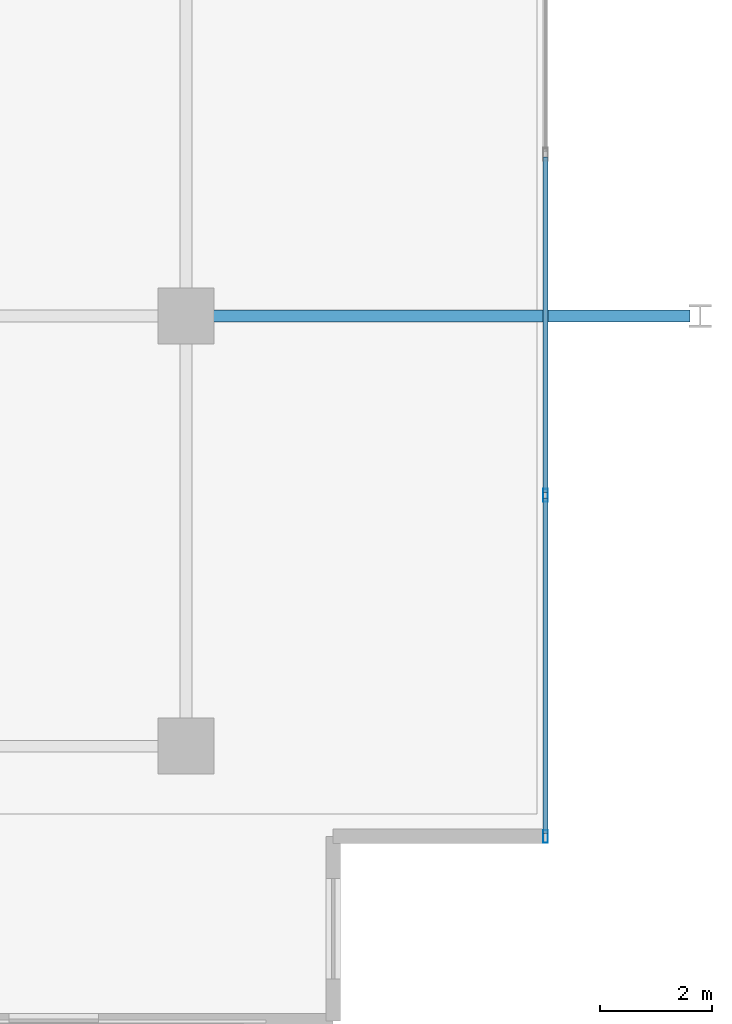
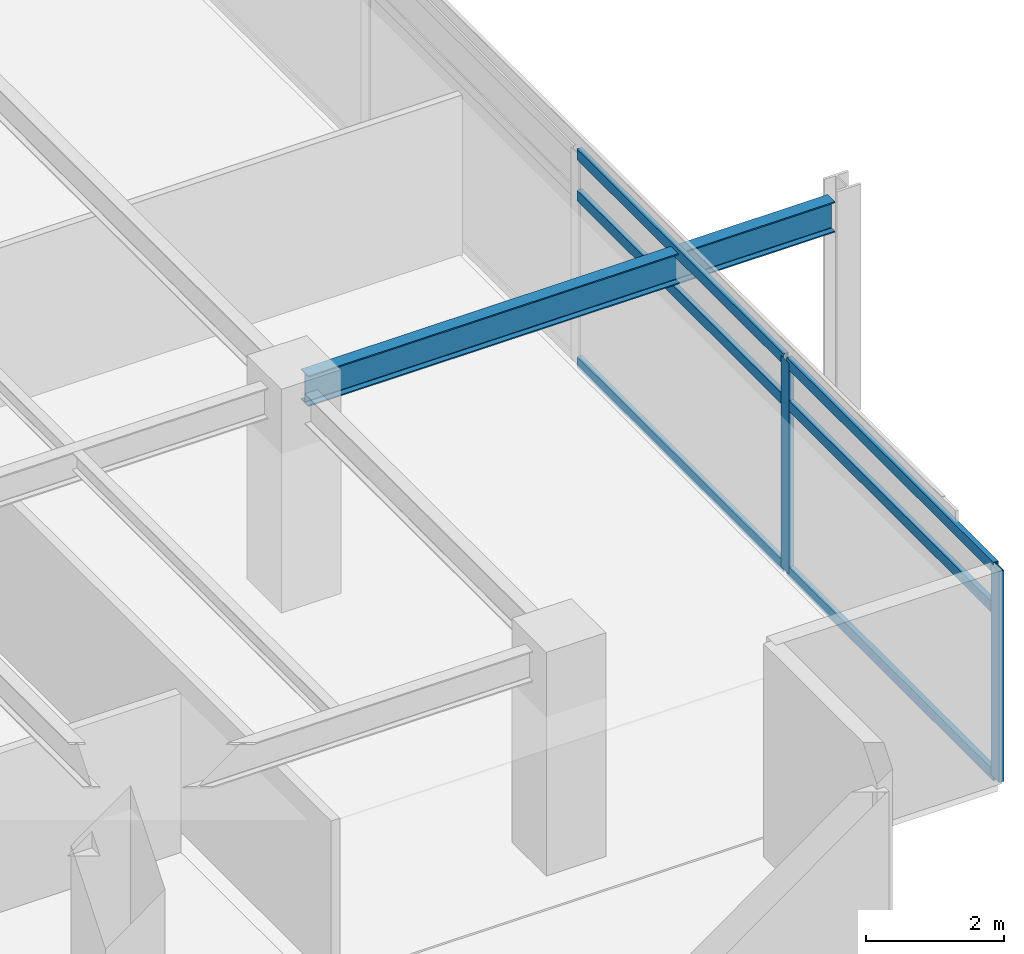
# One storey, part 6 of 21: 8 members, 1 beam, 1 element without a shape of its own.
"""IFC4 building model written with IfcOpenShell, lengths in metres."""

from ifc_helpers import new_model, si_unit, direction, frame, origin, origin_2d, place, context, subcontext, project, spatial, hollow_rectangle, i_section, extrude, material, material_profile, profile_set, type_object, element, aggregate, save


model = new_model("IFC4")

# Units and contexts
model_context = context("Model", 3, precision=1e-05, world=origin(), true_north=direction((0.0, 1.0)))
body_context = subcontext(model_context, "Body", "Model", "MODEL_VIEW")
ifc_project = project(units=[si_unit("LENGTHUNIT", "METRE"), si_unit("AREAUNIT", "SQUARE_METRE"), si_unit("VOLUMEUNIT", "CUBIC_METRE"), si_unit("PLANEANGLEUNIT", "RADIAN"), si_unit("MASSUNIT", "GRAM", prefix="KILO")], contexts=[model_context])

# Site, building, storey
site_placement = place(None, origin())
site = spatial("IfcSite", under=ifc_project, at=site_placement, CompositionType="ELEMENT")
building_placement = place(site_placement, origin())
building = spatial("IfcBuilding", under=site, at=building_placement, Name="Kovane Verandah Tower", CompositionType="ELEMENT")
storey_placement = place(building_placement, frame((0.0, 0.0, 326.800048828125)))
storey = spatial("IfcBuildingStorey", under=building, at=storey_placement, Name="L76", CompositionType="ELEMENT", Elevation=326.800048828125)

# Beam
ifc_material_1 = material(Name="Steel S355", Category="steel")
ifc_material_profile_1 = material_profile(ifc_material_1, i_section(OverallWidth=0.2119140625, OverallDepth=0.54443359375, WebThickness=0.0126953125, FlangeThickness=0.021240234375, FilletRadius=0.0126953125, at=origin_2d()), Name="UB533x210x122")
ifc_profile_set_1 = profile_set([ifc_material_profile_1], Name="Steel S355")
beam_type = type_object("IfcBeamType", Name="BM-UB533x122", PredefinedType="BEAM", material=ifc_profile_set_1)
beam_placement = place(storey_placement, frame((58.580078125, 18.5, 3.48779296875), z_axis=(1.0, 0.0, 0.0), x_axis=(0.0, 1.0, 0.0)))
element("IfcBeam", 1, at=beam_placement, inside=storey, type_object=beam_type, Name="L76 Primary Tower Girder G-VE1", PredefinedType="BEAM", context=body_context, shape_type="SweptSolid", body=[
    extrude(i_section(OverallWidth=0.2119140625, OverallDepth=0.54443359375, WebThickness=0.0126953125, FlangeThickness=0.021240234375, FilletRadius=0.0126953125, at=origin_2d()), origin(), (0.0, 0.0, 1.0), 8.83984375),
])

# Curtain wall, members
ifc_material_2 = material(Name="Champagne Anodised Aluminium Frame with Low-E Clear Laminated Glass", Category="aluminium")
curtain_wall_type = type_object("IfcCurtainWallType", Name="CW-SYS-05-HIGH", PredefinedType="NOTDEFINED", material=ifc_material_2)
curtain_wall_placement = place(storey_placement, origin())
curtain_wall = element("IfcCurtainWall", 2, at=curtain_wall_placement, inside=storey, type_object=curtain_wall_type, Name="L76 E Unitised Curtain Wall", PredefinedType="NOTDEFINED")
ifc_material_3 = material(Name="Champagne Anodised Aluminium 6063-T6", Category="aluminium")
ifc_material_profile_2 = material_profile(ifc_material_3, hollow_rectangle(XDim=0.0849609375, YDim=0.22998046875, WallThickness=0.00390625, at=origin_2d()), Name="AL85x230x4")
ifc_profile_set_2 = profile_set([ifc_material_profile_2], Name="Champagne Anodised Aluminium 6063-T6")
member_type_1 = type_object("IfcMemberType", Name="CW-MUL-85x230", PredefinedType="MULLION", material=ifc_profile_set_2)
member_1_placement = place(storey_placement, frame((64.83154296875, 9.184326171875, 0.02001953125), z_axis=(0.0, 0.0, 1.0), x_axis=(1.0, 0.0, 0.0)))
member_1 = element("IfcMember", 3, at=member_1_placement, type_object=member_type_1, Name="L76 E Unitised Curtain Wall Mullion 1", PredefinedType="MULLION", context=body_context, shape_type="SweptSolid", body=[
    extrude(hollow_rectangle(XDim=0.0849609375, YDim=0.22998046875, WallThickness=0.00390625, at=origin_2d()), origin(), (0.0, 0.0, 1.0), 3.744873046875),
])
member_2_placement = place(storey_placement, frame((64.83154296875, 15.28955078125, 0.02001953125), z_axis=(0.0, 0.0, 1.0), x_axis=(1.0, 0.0, 0.0)))
member_2 = element("IfcMember", 4, at=member_2_placement, type_object=member_type_1, Name="L76 E Unitised Curtain Wall Mullion 2", PredefinedType="MULLION", context=body_context, shape_type="SweptSolid", body=[
    extrude(hollow_rectangle(XDim=0.0849609375, YDim=0.22998046875, WallThickness=0.00390625, at=origin_2d()), origin(), (0.0, 0.0, 1.0), 3.744873046875),
])
ifc_material_profile_3 = material_profile(ifc_material_3, hollow_rectangle(XDim=0.0849609375, YDim=0.18994140625, WallThickness=0.00390625, at=origin_2d()), Name="AL85x190x4")
ifc_profile_set_3 = profile_set([ifc_material_profile_3], Name="Champagne Anodised Aluminium 6063-T6")
member_type_2 = type_object("IfcMemberType", Name="CW-TRN-85x190", PredefinedType="USERDEFINED", material=ifc_profile_set_3)
member_3_placement = place(storey_placement, frame((64.83154296875, 9.234375, 0.050048828125), z_axis=(0.0, 1.0, 0.0), x_axis=(-1.0, 0.0, 0.0)))
member_3 = element("IfcMember", 5, at=member_3_placement, type_object=member_type_2, Name="L76 E Unitised Curtain Wall Transom TB Bay 1", ObjectType="TRANSOM", PredefinedType="USERDEFINED", context=body_context, shape_type="SweptSolid", body=[
    extrude(hollow_rectangle(XDim=0.0849609375, YDim=0.18994140625, WallThickness=0.00390625, at=origin_2d()), origin(), (0.0, 0.0, 1.0), 6.005126953125),
])
member_4_placement = place(storey_placement, frame((64.83154296875, 9.234375, 3.0048828125), z_axis=(0.0, 1.0, 0.0), x_axis=(-1.0, 0.0, 0.0)))
member_4 = element("IfcMember", 6, at=member_4_placement, type_object=member_type_2, Name="L76 E Unitised Curtain Wall Transom TM Bay 1", ObjectType="TRANSOM", PredefinedType="USERDEFINED", context=body_context, shape_type="SweptSolid", body=[
    extrude(hollow_rectangle(XDim=0.0849609375, YDim=0.18994140625, WallThickness=0.00390625, at=origin_2d()), origin(), (0.0, 0.0, 1.0), 6.005126953125),
])
member_5_placement = place(storey_placement, frame((64.83154296875, 9.234375, 3.73486328125), z_axis=(0.0, 1.0, 0.0), x_axis=(-1.0, 0.0, 0.0)))
member_5 = element("IfcMember", 7, at=member_5_placement, type_object=member_type_2, Name="L76 E Unitised Curtain Wall Transom TT Bay 1", ObjectType="TRANSOM", PredefinedType="USERDEFINED", context=body_context, shape_type="SweptSolid", body=[
    extrude(hollow_rectangle(XDim=0.0849609375, YDim=0.18994140625, WallThickness=0.00390625, at=origin_2d()), origin(), (0.0, 0.0, 1.0), 6.005126953125),
])
member_6_placement = place(storey_placement, frame((64.83154296875, 15.339599609375, 0.050048828125), z_axis=(0.0, 1.0, 0.0), x_axis=(-1.0, 0.0, 0.0)))
member_6 = element("IfcMember", 8, at=member_6_placement, type_object=member_type_2, Name="L76 E Unitised Curtain Wall Transom TB Bay 2", ObjectType="TRANSOM", PredefinedType="USERDEFINED", context=body_context, shape_type="SweptSolid", body=[
    extrude(hollow_rectangle(XDim=0.0849609375, YDim=0.18994140625, WallThickness=0.00390625, at=origin_2d()), origin(), (0.0, 0.0, 1.0), 6.005126953125),
])
member_7_placement = place(storey_placement, frame((64.83154296875, 15.339599609375, 3.0048828125), z_axis=(0.0, 1.0, 0.0), x_axis=(-1.0, 0.0, 0.0)))
member_7 = element("IfcMember", 9, at=member_7_placement, type_object=member_type_2, Name="L76 E Unitised Curtain Wall Transom TM Bay 2", ObjectType="TRANSOM", PredefinedType="USERDEFINED", context=body_context, shape_type="SweptSolid", body=[
    extrude(hollow_rectangle(XDim=0.0849609375, YDim=0.18994140625, WallThickness=0.00390625, at=origin_2d()), origin(), (0.0, 0.0, 1.0), 6.005126953125),
])
member_8_placement = place(storey_placement, frame((64.83154296875, 15.339599609375, 3.73486328125), z_axis=(0.0, 1.0, 0.0), x_axis=(-1.0, 0.0, 0.0)))
member_8 = element("IfcMember", 10, at=member_8_placement, type_object=member_type_2, Name="L76 E Unitised Curtain Wall Transom TT Bay 2", ObjectType="TRANSOM", PredefinedType="USERDEFINED", context=body_context, shape_type="SweptSolid", body=[
    extrude(hollow_rectangle(XDim=0.0849609375, YDim=0.18994140625, WallThickness=0.00390625, at=origin_2d()), origin(), (0.0, 0.0, 1.0), 6.005126953125),
])
aggregate(curtain_wall, [member_1, member_2, member_3, member_4, member_5, member_6, member_7, member_8])

save(model, "model.ifc")
